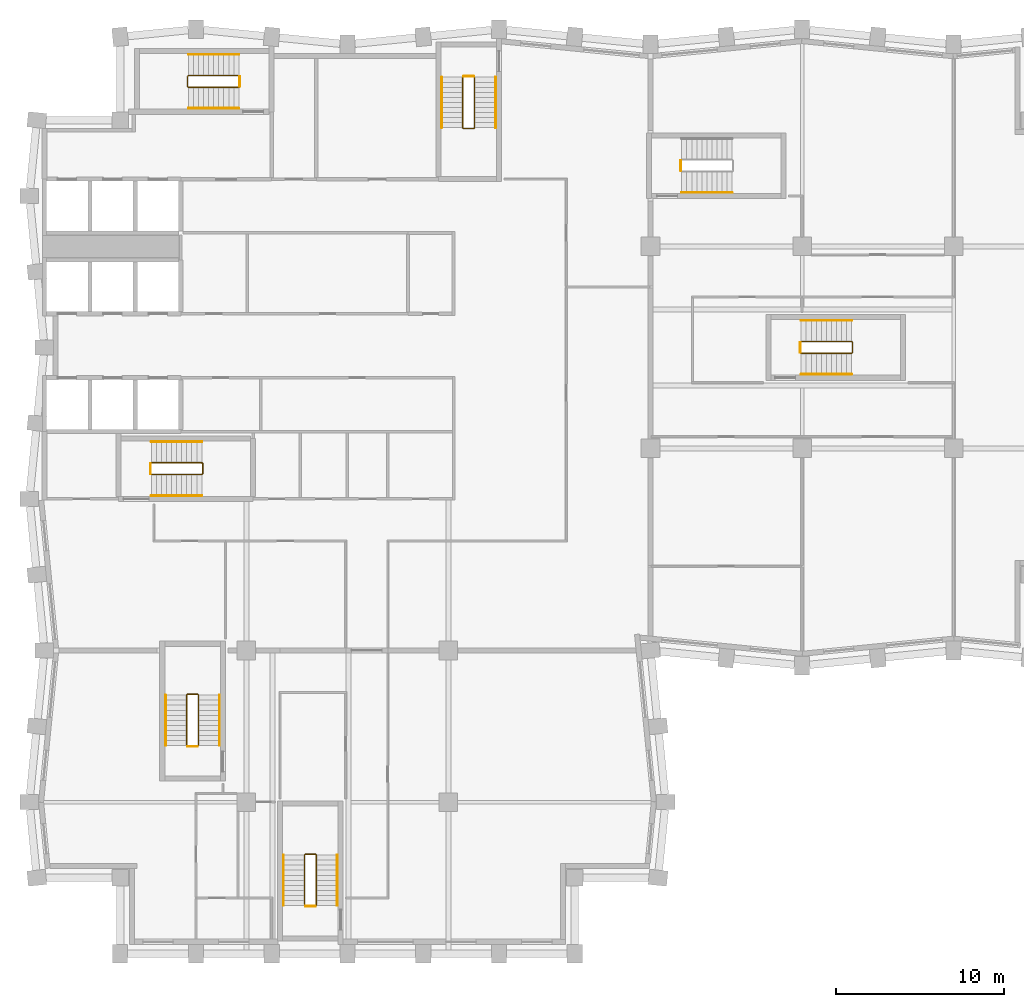
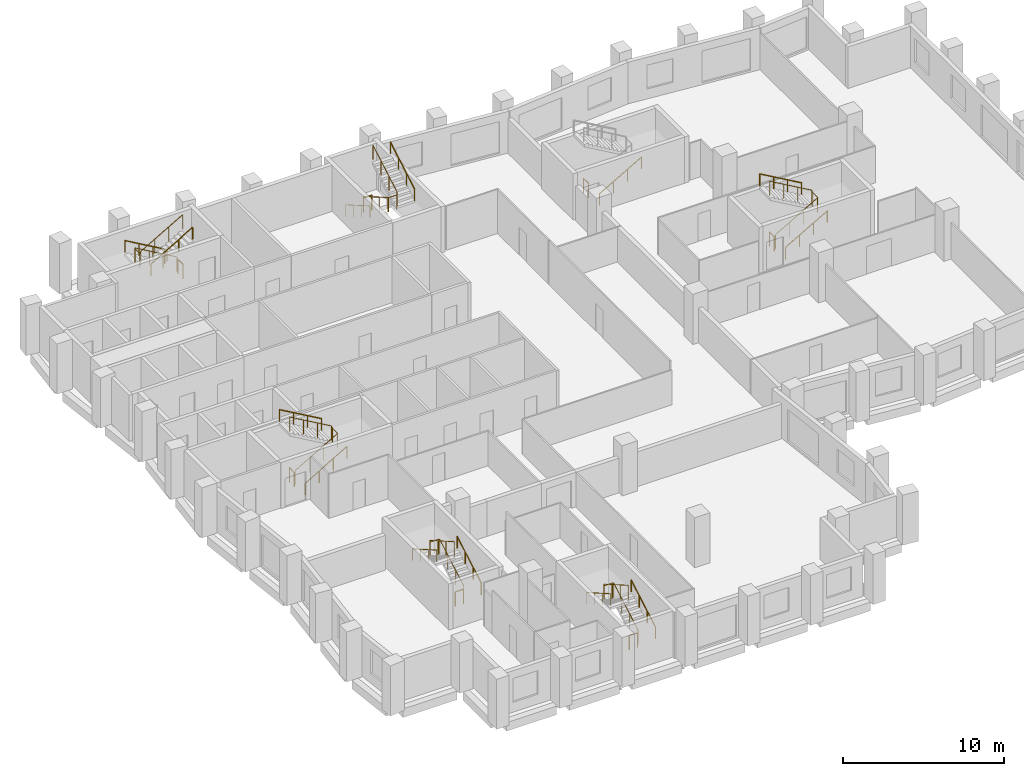
# One storey, part 9 of 10: 26 railings.
"""IFC4 building model written with IfcOpenShell, lengths in metres."""

from ifc_helpers import new_model, si_unit, direction, frame, origin, origin_2d, place, context, subcontext, project, spatial, circle, extrude, material, type_object, element, save


model = new_model("IFC4")

# Units and contexts
model_context = context("Model", 3, precision=1e-05, world=origin(), true_north=direction((0.0, 1.0)))
body_context = subcontext(model_context, "Body", "Model", "MODEL_VIEW")
ifc_project = project(units=[si_unit("LENGTHUNIT", "METRE"), si_unit("AREAUNIT", "SQUARE_METRE"), si_unit("VOLUMEUNIT", "CUBIC_METRE"), si_unit("PLANEANGLEUNIT", "RADIAN"), si_unit("MASSUNIT", "GRAM", prefix="KILO")], contexts=[model_context])

# Site, building, storey
site_placement = place(None, origin())
site = spatial("IfcSite", under=ifc_project, at=site_placement, CompositionType="ELEMENT")
building_placement = place(site_placement, origin())
building = spatial("IfcBuilding", under=site, at=building_placement, Name="Brondeck Convention Tower", CompositionType="ELEMENT")
storey_placement = place(building_placement, frame((0.0, 0.0, 185.199951171875)))
storey = spatial("IfcBuildingStorey", under=building, at=storey_placement, Name="L45", CompositionType="ELEMENT", Elevation=185.199951171875)

# Railings
ifc_material = material(Name="Steel S355", Category="steel")
railing_type_1 = type_object("IfcRailingType", Name="Stair guard 1100", PredefinedType="GUARDRAIL", material=ifc_material)
railing_1_placement = place(storey_placement, frame((6.35009765625, 37.449951171875, 0.1728515625)))
element("IfcRailing", 1, at=railing_1_placement, inside=storey, type_object=railing_type_1, Name="L45 ST-1 stair guard 1", PredefinedType="GUARDRAIL", context=body_context, shape_type="SweptSolid", body=[
    extrude(circle(Radius=0.02392578125, at=origin_2d()), frame((0.0, 0.0, 1.076171875), z_axis=(0.866619684472, 0.0, 0.498969260062), x_axis=(0.0, 1.0, 0.0)), (0.0, 0.0, 1.0), 3.461669921875),
    extrude(circle(Radius=0.02392578125, at=origin_2d()), frame((3.0, 0.0, 2.80322265625), z_axis=(0.705375805398, 0.708833529934, 0.0), x_axis=(-0.708833529934, 0.705375805398, 0.0)), (0.0, 0.0, 1.0), 0.070556640625),
    extrude(circle(Radius=0.02392578125, at=origin_2d()), frame((3.0498046875, 0.050048828125, 2.80322265625), z_axis=(0.0, 1.0, 0.0), x_axis=(-1.0, 0.0, 0.0)), (0.0, 0.0, 1.0), 0.60009765625),
    extrude(circle(Radius=0.02392578125, at=origin_2d()), frame((3.0498046875, 0.650146484375, 2.80322265625), z_axis=(-0.26715648603, 0.26715648603, 0.925880566782), x_axis=(-0.707106781187, -0.707106781187, 0.0)), (0.0, 0.0, 1.0), 0.1865234375),
    extrude(circle(Radius=0.02392578125, at=origin_2d()), frame((3.0, 0.699951171875, 2.97607421875), z_axis=(-0.866619684472, 0.0, 0.498969260062), x_axis=(0.0, -1.0, 0.0)), (0.0, 0.0, 1.0), 3.461669921875),
    extrude(circle(Radius=0.02099609375, at=origin_2d()), origin(), (0.0, 0.0, 1.0), 1.052001953125),
    extrude(circle(Radius=0.02099609375, at=origin_2d()), frame((1.0, 0.0, 0.57568359375)), (0.0, 0.0, 1.0), 1.052001953125),
    extrude(circle(Radius=0.02099609375, at=origin_2d()), frame((2.0, 0.0, 1.151611328125)), (0.0, 0.0, 1.0), 1.052001953125),
    extrude(circle(Radius=0.02099609375, at=origin_2d()), frame((3.0, 0.0, 1.727294921875)), (0.0, 0.0, 1.0), 1.052001953125),
    extrude(circle(Radius=0.02099609375, at=origin_2d()), frame((3.0498046875, 0.050048828125, 1.727294921875)), (0.0, 0.0, 1.0), 1.052001953125),
    extrude(circle(Radius=0.02099609375, at=origin_2d()), frame((3.0498046875, 0.650146484375, 1.727294921875)), (0.0, 0.0, 1.0), 1.052001953125),
    extrude(circle(Radius=0.02099609375, at=origin_2d()), frame((3.0, 0.699951171875, 1.89990234375)), (0.0, 0.0, 1.0), 1.052001953125),
    extrude(circle(Radius=0.02099609375, at=origin_2d()), frame((2.0, 0.699951171875, 2.4755859375)), (0.0, 0.0, 1.0), 1.052001953125),
    extrude(circle(Radius=0.02099609375, at=origin_2d()), frame((1.0, 0.699951171875, 3.051513671875)), (0.0, 0.0, 1.0), 1.052001953125),
    extrude(circle(Radius=0.02099609375, at=origin_2d()), frame((0.0, 0.699951171875, 3.627197265625)), (0.0, 0.0, 1.0), 1.052001953125),
])
railing_2_placement = place(storey_placement, frame((6.300048828125, 37.5, 0.0)))
element("IfcRailing", 2, at=railing_2_placement, inside=storey, type_object=railing_type_1, Name="L45 ST-1 stair guard 2", PredefinedType="GUARDRAIL", context=body_context, shape_type="SweptSolid", body=[
    extrude(circle(Radius=0.02392578125, at=origin_2d()), frame((0.0, 0.0, 1.076171875), z_axis=(0.0, 1.0, 0.0), x_axis=(-1.0, 0.0, 0.0)), (0.0, 0.0, 1.0), 0.60009765625),
    extrude(circle(Radius=0.02099609375, at=origin_2d()), origin(), (0.0, 0.0, 1.0), 1.052001953125),
    extrude(circle(Radius=0.02099609375, at=origin_2d()), frame((0.0, 0.60009765625, 0.0)), (0.0, 0.0, 1.0), 1.052001953125),
])
railing_3_placement = place(storey_placement, frame((24.85009765625, 61.050048828125, 0.1728515625)))
element("IfcRailing", 3, at=railing_3_placement, inside=storey, type_object=railing_type_1, Name="L45 ST-2 stair guard 1", PredefinedType="GUARDRAIL", context=body_context, shape_type="SweptSolid", body=[
    extrude(circle(Radius=0.02392578125, at=origin_2d()), frame((0.0, 0.0, 1.076171875), z_axis=(0.0, -0.866619684472, 0.498969260062), x_axis=(1.0, 0.0, 0.0)), (0.0, 0.0, 1.0), 3.461669921875),
    extrude(circle(Radius=0.02392578125, at=origin_2d()), frame((0.0, -3.0, 2.80322265625), z_axis=(0.705375805398, -0.708833529934, 0.0), x_axis=(0.708833529934, 0.705375805398, 0.0)), (0.0, 0.0, 1.0), 0.070556640625),
    extrude(circle(Radius=0.02392578125, at=origin_2d()), frame((0.0498046875, -3.050048828125, 2.80322265625), z_axis=(1.0, 0.0, 0.0), x_axis=(0.0, 1.0, 0.0)), (0.0, 0.0, 1.0), 0.60009765625),
    extrude(circle(Radius=0.02392578125, at=origin_2d()), frame((0.64990234375, -3.050048828125, 2.80322265625), z_axis=(0.268277960024, 0.268277960024, 0.925231793839), x_axis=(-0.707106781187, 0.707106781187, 0.0)), (0.0, 0.0, 1.0), 0.1865234375),
    extrude(circle(Radius=0.02392578125, at=origin_2d()), frame((0.699951171875, -3.0, 2.97607421875), z_axis=(0.0, 0.866619684472, 0.498969260062), x_axis=(-1.0, 0.0, 0.0)), (0.0, 0.0, 1.0), 3.461669921875),
    extrude(circle(Radius=0.02099609375, at=origin_2d()), origin(), (0.0, 0.0, 1.0), 1.052001953125),
    extrude(circle(Radius=0.02099609375, at=origin_2d()), frame((0.0, -1.0, 0.57568359375)), (0.0, 0.0, 1.0), 1.052001953125),
    extrude(circle(Radius=0.02099609375, at=origin_2d()), frame((0.0, -2.0, 1.151611328125)), (0.0, 0.0, 1.0), 1.052001953125),
    extrude(circle(Radius=0.02099609375, at=origin_2d()), frame((0.0, -3.0, 1.727294921875)), (0.0, 0.0, 1.0), 1.052001953125),
    extrude(circle(Radius=0.02099609375, at=origin_2d()), frame((0.0498046875, -3.050048828125, 1.727294921875)), (0.0, 0.0, 1.0), 1.052001953125),
    extrude(circle(Radius=0.02099609375, at=origin_2d()), frame((0.64990234375, -3.050048828125, 1.727294921875)), (0.0, 0.0, 1.0), 1.052001953125),
    extrude(circle(Radius=0.02099609375, at=origin_2d()), frame((0.699951171875, -3.0, 1.89990234375)), (0.0, 0.0, 1.0), 1.052001953125),
    extrude(circle(Radius=0.02099609375, at=origin_2d()), frame((0.699951171875, -2.0, 2.4755859375)), (0.0, 0.0, 1.0), 1.052001953125),
    extrude(circle(Radius=0.02099609375, at=origin_2d()), frame((0.699951171875, -1.0, 3.051513671875)), (0.0, 0.0, 1.0), 1.052001953125),
    extrude(circle(Radius=0.02099609375, at=origin_2d()), frame((0.699951171875, 0.0, 3.627197265625)), (0.0, 0.0, 1.0), 1.052001953125),
])
railing_4_placement = place(storey_placement, frame((24.89990234375, 61.10009765625, 0.0)))
element("IfcRailing", 4, at=railing_4_placement, inside=storey, type_object=railing_type_1, Name="L45 ST-2 stair guard 2", PredefinedType="GUARDRAIL", context=body_context, shape_type="SweptSolid", body=[
    extrude(circle(Radius=0.02392578125, at=origin_2d()), frame((0.0, 0.0, 1.076171875), z_axis=(1.0, 0.0, 0.0), x_axis=(0.0, 1.0, 0.0)), (0.0, 0.0, 1.0), 0.60009765625),
    extrude(circle(Radius=0.02099609375, at=origin_2d()), origin(), (0.0, 0.0, 1.0), 1.052001953125),
    extrude(circle(Radius=0.02099609375, at=origin_2d()), frame((0.60009765625, 0.0, 0.0)), (0.0, 0.0, 1.0), 1.052001953125),
])
railing_5_placement = place(storey_placement, frame((11.550048828125, 61.14990234375, 0.1728515625)))
element("IfcRailing", 5, at=railing_5_placement, inside=storey, type_object=railing_type_1, Name="L45 ST-3 stair guard 1", PredefinedType="GUARDRAIL", context=body_context, shape_type="SweptSolid", body=[
    extrude(circle(Radius=0.02392578125, at=origin_2d()), frame((0.0, 0.0, 1.076171875), z_axis=(-0.866619684472, 0.0, 0.498969260062), x_axis=(0.0, -1.0, 0.0)), (0.0, 0.0, 1.0), 3.461669921875),
    extrude(circle(Radius=0.02392578125, at=origin_2d()), frame((-3.0, 0.0, 2.80322265625), z_axis=(-0.708833529934, -0.705375805398, 0.0), x_axis=(0.705375805398, -0.708833529934, 0.0)), (0.0, 0.0, 1.0), 0.070556640625),
    extrude(circle(Radius=0.02392578125, at=origin_2d()), frame((-3.050048828125, -0.0498046875, 2.80322265625), z_axis=(0.0, -1.0, 0.0), x_axis=(1.0, 0.0, 0.0)), (0.0, 0.0, 1.0), 0.60009765625),
    extrude(circle(Radius=0.02392578125, at=origin_2d()), frame((-3.050048828125, -0.64990234375, 2.80322265625), z_axis=(0.268277960024, -0.268277960024, 0.925231793839), x_axis=(0.707106781187, 0.707106781187, 0.0)), (0.0, 0.0, 1.0), 0.1865234375),
    extrude(circle(Radius=0.02392578125, at=origin_2d()), frame((-3.0, -0.699951171875, 2.97607421875), z_axis=(0.866619684472, 0.0, 0.498969260062), x_axis=(0.0, 1.0, 0.0)), (0.0, 0.0, 1.0), 3.461669921875),
    extrude(circle(Radius=0.02099609375, at=origin_2d()), origin(), (0.0, 0.0, 1.0), 1.052001953125),
    extrude(circle(Radius=0.02099609375, at=origin_2d()), frame((-1.0, 0.0, 0.57568359375)), (0.0, 0.0, 1.0), 1.052001953125),
    extrude(circle(Radius=0.02099609375, at=origin_2d()), frame((-2.0, 0.0, 1.151611328125)), (0.0, 0.0, 1.0), 1.052001953125),
    extrude(circle(Radius=0.02099609375, at=origin_2d()), frame((-3.0, 0.0, 1.727294921875)), (0.0, 0.0, 1.0), 1.052001953125),
    extrude(circle(Radius=0.02099609375, at=origin_2d()), frame((-3.050048828125, -0.0498046875, 1.727294921875)), (0.0, 0.0, 1.0), 1.052001953125),
    extrude(circle(Radius=0.02099609375, at=origin_2d()), frame((-3.050048828125, -0.64990234375, 1.727294921875)), (0.0, 0.0, 1.0), 1.052001953125),
    extrude(circle(Radius=0.02099609375, at=origin_2d()), frame((-3.0, -0.699951171875, 1.89990234375)), (0.0, 0.0, 1.0), 1.052001953125),
    extrude(circle(Radius=0.02099609375, at=origin_2d()), frame((-2.0, -0.699951171875, 2.4755859375)), (0.0, 0.0, 1.0), 1.052001953125),
    extrude(circle(Radius=0.02099609375, at=origin_2d()), frame((-1.0, -0.699951171875, 3.051513671875)), (0.0, 0.0, 1.0), 1.052001953125),
    extrude(circle(Radius=0.02099609375, at=origin_2d()), frame((0.0, -0.699951171875, 3.627197265625)), (0.0, 0.0, 1.0), 1.052001953125),
])
railing_6_placement = place(storey_placement, frame((11.60009765625, 61.10009765625, 0.0)))
element("IfcRailing", 6, at=railing_6_placement, inside=storey, type_object=railing_type_1, Name="L45 ST-3 stair guard 2", PredefinedType="GUARDRAIL", context=body_context, shape_type="SweptSolid", body=[
    extrude(circle(Radius=0.02392578125, at=origin_2d()), frame((0.0, 0.0, 1.076171875), z_axis=(0.0, -1.0, 0.0), x_axis=(1.0, 0.0, 0.0)), (0.0, 0.0, 1.0), 0.60009765625),
    extrude(circle(Radius=0.02099609375, at=origin_2d()), origin(), (0.0, 0.0, 1.0), 1.052001953125),
    extrude(circle(Radius=0.02099609375, at=origin_2d()), frame((0.0, -0.60009765625, 0.0)), (0.0, 0.0, 1.0), 1.052001953125),
])
railing_7_placement = place(storey_placement, frame((37.800048828125, 55.5, 0.0)))
element("IfcRailing", 7, at=railing_7_placement, inside=storey, type_object=railing_type_1, Name="L45 ST-AE stair guard 2", PredefinedType="GUARDRAIL", context=body_context, shape_type="SweptSolid", body=[
    extrude(circle(Radius=0.02392578125, at=origin_2d()), frame((0.0, 0.0, 1.076171875), z_axis=(0.0, 1.0, 0.0), x_axis=(-1.0, 0.0, 0.0)), (0.0, 0.0, 1.0), 0.60009765625),
    extrude(circle(Radius=0.02099609375, at=origin_2d()), origin(), (0.0, 0.0, 1.0), 1.052001953125),
    extrude(circle(Radius=0.02099609375, at=origin_2d()), frame((0.0, 0.60009765625, 0.0)), (0.0, 0.0, 1.0), 1.052001953125),
])
railing_8_placement = place(storey_placement, frame((9.14990234375, 21.35009765625, 0.1728515625)))
element("IfcRailing", 8, at=railing_8_placement, inside=storey, type_object=railing_type_1, Name="L45 ST-BE stair guard 1", PredefinedType="GUARDRAIL", context=body_context, shape_type="SweptSolid", body=[
    extrude(circle(Radius=0.02392578125, at=origin_2d()), frame((0.0, 0.0, 1.076171875), z_axis=(0.0, 0.866619684472, 0.498969260062), x_axis=(-1.0, 0.0, 0.0)), (0.0, 0.0, 1.0), 3.461669921875),
    extrude(circle(Radius=0.02392578125, at=origin_2d()), frame((0.0, 3.0, 2.80322265625), z_axis=(-0.707106781187, 0.707106781187, 0.0), x_axis=(-0.707106781187, -0.707106781187, 0.0)), (0.0, 0.0, 1.0), 0.0703125),
    extrude(circle(Radius=0.02392578125, at=origin_2d()), frame((-0.0498046875, 3.0498046875, 2.80322265625), z_axis=(-1.0, 0.0, 0.0), x_axis=(0.0, -1.0, 0.0)), (0.0, 0.0, 1.0), 0.60009765625),
    extrude(circle(Radius=0.02392578125, at=origin_2d()), frame((-0.64990234375, 3.0498046875, 2.80322265625), z_axis=(-0.268371968888, -0.267062837333, 0.925556009775), x_axis=(0.705375805398, -0.708833529934, 0.0)), (0.0, 0.0, 1.0), 0.1865234375),
    extrude(circle(Radius=0.02392578125, at=origin_2d()), frame((-0.699951171875, 3.0, 2.97607421875), z_axis=(0.0, -0.866619684472, 0.498969260062), x_axis=(1.0, 0.0, 0.0)), (0.0, 0.0, 1.0), 3.461669921875),
    extrude(circle(Radius=0.02099609375, at=origin_2d()), origin(), (0.0, 0.0, 1.0), 1.052001953125),
    extrude(circle(Radius=0.02099609375, at=origin_2d()), frame((0.0, 1.0, 0.57568359375)), (0.0, 0.0, 1.0), 1.052001953125),
    extrude(circle(Radius=0.02099609375, at=origin_2d()), frame((0.0, 2.0, 1.151611328125)), (0.0, 0.0, 1.0), 1.052001953125),
    extrude(circle(Radius=0.02099609375, at=origin_2d()), frame((0.0, 3.0, 1.727294921875)), (0.0, 0.0, 1.0), 1.052001953125),
    extrude(circle(Radius=0.02099609375, at=origin_2d()), frame((-0.0498046875, 3.0498046875, 1.727294921875)), (0.0, 0.0, 1.0), 1.052001953125),
    extrude(circle(Radius=0.02099609375, at=origin_2d()), frame((-0.64990234375, 3.0498046875, 1.727294921875)), (0.0, 0.0, 1.0), 1.052001953125),
    extrude(circle(Radius=0.02099609375, at=origin_2d()), frame((-0.699951171875, 3.0, 1.89990234375)), (0.0, 0.0, 1.0), 1.052001953125),
    extrude(circle(Radius=0.02099609375, at=origin_2d()), frame((-0.699951171875, 2.0, 2.4755859375)), (0.0, 0.0, 1.0), 1.052001953125),
    extrude(circle(Radius=0.02099609375, at=origin_2d()), frame((-0.699951171875, 1.0, 3.051513671875)), (0.0, 0.0, 1.0), 1.052001953125),
    extrude(circle(Radius=0.02099609375, at=origin_2d()), frame((-0.699951171875, 0.0, 3.627197265625)), (0.0, 0.0, 1.0), 1.052001953125),
])
railing_9_placement = place(storey_placement, frame((9.10009765625, 21.300048828125, 0.0)))
element("IfcRailing", 9, at=railing_9_placement, inside=storey, type_object=railing_type_1, Name="L45 ST-BE stair guard 2", PredefinedType="GUARDRAIL", context=body_context, shape_type="SweptSolid", body=[
    extrude(circle(Radius=0.02392578125, at=origin_2d()), frame((0.0, 0.0, 1.076171875), z_axis=(-1.0, 0.0, 0.0), x_axis=(0.0, -1.0, 0.0)), (0.0, 0.0, 1.0), 0.60009765625),
    extrude(circle(Radius=0.02099609375, at=origin_2d()), origin(), (0.0, 0.0, 1.0), 1.052001953125),
    extrude(circle(Radius=0.02099609375, at=origin_2d()), frame((-0.60009765625, 0.0, 0.0)), (0.0, 0.0, 1.0), 1.052001953125),
])
railing_10_placement = place(storey_placement, frame((44.949951171875, 44.64990234375, 0.1728515625)))
element("IfcRailing", 10, at=railing_10_placement, inside=storey, type_object=railing_type_1, Name="L45 ST-AF stair guard 1", PredefinedType="GUARDRAIL", context=body_context, shape_type="SweptSolid", body=[
    extrude(circle(Radius=0.02392578125, at=origin_2d()), frame((0.0, 0.0, 1.076171875), z_axis=(0.866619684472, 0.0, 0.498969260062), x_axis=(0.0, 1.0, 0.0)), (0.0, 0.0, 1.0), 3.461669921875),
    extrude(circle(Radius=0.02392578125, at=origin_2d()), frame((3.0, 0.0, 2.80322265625), z_axis=(0.707106781187, 0.707106781187, 0.0), x_axis=(-0.707106781187, 0.707106781187, 0.0)), (0.0, 0.0, 1.0), 0.07080078125),
    extrude(circle(Radius=0.02392578125, at=origin_2d()), frame((3.050048828125, 0.050048828125, 2.80322265625), z_axis=(0.0, 1.0, 0.0), x_axis=(-1.0, 0.0, 0.0)), (0.0, 0.0, 1.0), 0.60009765625),
    extrude(circle(Radius=0.02392578125, at=origin_2d()), frame((3.050048828125, 0.650146484375, 2.80322265625), z_axis=(-0.268277960024, 0.268277960024, 0.925231793839), x_axis=(-0.707106781187, -0.707106781187, 0.0)), (0.0, 0.0, 1.0), 0.1865234375),
    extrude(circle(Radius=0.02392578125, at=origin_2d()), frame((3.0, 0.7001953125, 2.97607421875), z_axis=(-0.866619684472, 0.0, 0.498969260062), x_axis=(0.0, -1.0, 0.0)), (0.0, 0.0, 1.0), 3.461669921875),
    extrude(circle(Radius=0.02099609375, at=origin_2d()), origin(), (0.0, 0.0, 1.0), 1.052001953125),
    extrude(circle(Radius=0.02099609375, at=origin_2d()), frame((1.0, 0.0, 0.57568359375)), (0.0, 0.0, 1.0), 1.052001953125),
    extrude(circle(Radius=0.02099609375, at=origin_2d()), frame((2.0, 0.0, 1.151611328125)), (0.0, 0.0, 1.0), 1.052001953125),
    extrude(circle(Radius=0.02099609375, at=origin_2d()), frame((3.0, 0.0, 1.727294921875)), (0.0, 0.0, 1.0), 1.052001953125),
    extrude(circle(Radius=0.02099609375, at=origin_2d()), frame((3.050048828125, 0.050048828125, 1.727294921875)), (0.0, 0.0, 1.0), 1.052001953125),
    extrude(circle(Radius=0.02099609375, at=origin_2d()), frame((3.050048828125, 0.650146484375, 1.727294921875)), (0.0, 0.0, 1.0), 1.052001953125),
    extrude(circle(Radius=0.02099609375, at=origin_2d()), frame((3.0, 0.7001953125, 1.89990234375)), (0.0, 0.0, 1.0), 1.052001953125),
    extrude(circle(Radius=0.02099609375, at=origin_2d()), frame((2.0, 0.7001953125, 2.4755859375)), (0.0, 0.0, 1.0), 1.052001953125),
    extrude(circle(Radius=0.02099609375, at=origin_2d()), frame((1.0, 0.7001953125, 3.051513671875)), (0.0, 0.0, 1.0), 1.052001953125),
    extrude(circle(Radius=0.02099609375, at=origin_2d()), frame((0.0, 0.7001953125, 3.627197265625)), (0.0, 0.0, 1.0), 1.052001953125),
])
railing_11_placement = place(storey_placement, frame((44.89990234375, 44.699951171875, 0.0)))
element("IfcRailing", 11, at=railing_11_placement, inside=storey, type_object=railing_type_1, Name="L45 ST-AF stair guard 2", PredefinedType="GUARDRAIL", context=body_context, shape_type="SweptSolid", body=[
    extrude(circle(Radius=0.02392578125, at=origin_2d()), frame((0.0, 0.0, 1.076171875), z_axis=(0.0, 1.0, 0.0), x_axis=(-1.0, 0.0, 0.0)), (0.0, 0.0, 1.0), 0.60009765625),
    extrude(circle(Radius=0.02099609375, at=origin_2d()), origin(), (0.0, 0.0, 1.0), 1.052001953125),
    extrude(circle(Radius=0.02099609375, at=origin_2d()), frame((0.0, 0.60009765625, 0.0)), (0.0, 0.0, 1.0), 1.052001953125),
])
railing_12_placement = place(storey_placement, frame((16.14990234375, 11.85009765625, 0.1728515625)))
element("IfcRailing", 12, at=railing_12_placement, inside=storey, type_object=railing_type_1, Name="L45 ST-BF stair guard 1", PredefinedType="GUARDRAIL", context=body_context, shape_type="SweptSolid", body=[
    extrude(circle(Radius=0.02392578125, at=origin_2d()), frame((0.0, 0.0, 1.076171875), z_axis=(0.0, 0.866619684472, 0.498969260062), x_axis=(-1.0, 0.0, 0.0)), (0.0, 0.0, 1.0), 3.461669921875),
    extrude(circle(Radius=0.02392578125, at=origin_2d()), frame((0.0, 3.0, 2.80322265625), z_axis=(-0.707106781187, 0.707106781187, 0.0), x_axis=(-0.707106781187, -0.707106781187, 0.0)), (0.0, 0.0, 1.0), 0.0703125),
    extrude(circle(Radius=0.02392578125, at=origin_2d()), frame((-0.0498046875, 3.0498046875, 2.80322265625), z_axis=(-1.0, 0.0, 0.0), x_axis=(0.0, -1.0, 0.0)), (0.0, 0.0, 1.0), 0.60009765625),
    extrude(circle(Radius=0.02392578125, at=origin_2d()), frame((-0.64990234375, 3.0498046875, 2.80322265625), z_axis=(-0.268371968888, -0.267062837333, 0.925556009775), x_axis=(0.705375805398, -0.708833529934, 0.0)), (0.0, 0.0, 1.0), 0.1865234375),
    extrude(circle(Radius=0.02392578125, at=origin_2d()), frame((-0.699951171875, 3.0, 2.97607421875), z_axis=(0.0, -0.866619684472, 0.498969260062), x_axis=(1.0, 0.0, 0.0)), (0.0, 0.0, 1.0), 3.461669921875),
    extrude(circle(Radius=0.02099609375, at=origin_2d()), origin(), (0.0, 0.0, 1.0), 1.052001953125),
    extrude(circle(Radius=0.02099609375, at=origin_2d()), frame((0.0, 1.0, 0.57568359375)), (0.0, 0.0, 1.0), 1.052001953125),
    extrude(circle(Radius=0.02099609375, at=origin_2d()), frame((0.0, 2.0, 1.151611328125)), (0.0, 0.0, 1.0), 1.052001953125),
    extrude(circle(Radius=0.02099609375, at=origin_2d()), frame((0.0, 3.0, 1.727294921875)), (0.0, 0.0, 1.0), 1.052001953125),
    extrude(circle(Radius=0.02099609375, at=origin_2d()), frame((-0.0498046875, 3.0498046875, 1.727294921875)), (0.0, 0.0, 1.0), 1.052001953125),
    extrude(circle(Radius=0.02099609375, at=origin_2d()), frame((-0.64990234375, 3.0498046875, 1.727294921875)), (0.0, 0.0, 1.0), 1.052001953125),
    extrude(circle(Radius=0.02099609375, at=origin_2d()), frame((-0.699951171875, 3.0, 1.89990234375)), (0.0, 0.0, 1.0), 1.052001953125),
    extrude(circle(Radius=0.02099609375, at=origin_2d()), frame((-0.699951171875, 2.0, 2.4755859375)), (0.0, 0.0, 1.0), 1.052001953125),
    extrude(circle(Radius=0.02099609375, at=origin_2d()), frame((-0.699951171875, 1.0, 3.051513671875)), (0.0, 0.0, 1.0), 1.052001953125),
    extrude(circle(Radius=0.02099609375, at=origin_2d()), frame((-0.699951171875, 0.0, 3.627197265625)), (0.0, 0.0, 1.0), 1.052001953125),
])
railing_13_placement = place(storey_placement, frame((16.10009765625, 11.800048828125, 0.0)))
element("IfcRailing", 13, at=railing_13_placement, inside=storey, type_object=railing_type_1, Name="L45 ST-BF stair guard 2", PredefinedType="GUARDRAIL", context=body_context, shape_type="SweptSolid", body=[
    extrude(circle(Radius=0.02392578125, at=origin_2d()), frame((0.0, 0.0, 1.076171875), z_axis=(-1.0, 0.0, 0.0), x_axis=(0.0, -1.0, 0.0)), (0.0, 0.0, 1.0), 0.60009765625),
    extrude(circle(Radius=0.02099609375, at=origin_2d()), origin(), (0.0, 0.0, 1.0), 1.052001953125),
    extrude(circle(Radius=0.02099609375, at=origin_2d()), frame((-0.60009765625, 0.0, 0.0)), (0.0, 0.0, 1.0), 1.052001953125),
])
railing_type_2 = type_object("IfcRailingType", Name="Stair handrail", PredefinedType="HANDRAIL", material=ifc_material)
railing_14_placement = place(storey_placement, frame((6.35009765625, 36.199951171875, 0.1728515625)))
element("IfcRailing", 14, at=railing_14_placement, inside=storey, type_object=railing_type_2, Name="L45 ST-1 stair handrail 1", PredefinedType="HANDRAIL", context=body_context, shape_type="SweptSolid", body=[
    extrude(circle(Radius=0.02392578125, at=origin_2d()), frame((0.0, 0.0, 0.8759765625), z_axis=(0.866619684472, 0.0, 0.498969260062), x_axis=(0.0, 1.0, 0.0)), (0.0, 0.0, 1.0), 3.461669921875),
    extrude(circle(Radius=0.02099609375, at=origin_2d()), origin(), (0.0, 0.0, 1.0), 0.851806640625),
    extrude(circle(Radius=0.02099609375, at=origin_2d()), frame((1.0, 0.0, 0.57568359375)), (0.0, 0.0, 1.0), 0.851806640625),
    extrude(circle(Radius=0.02099609375, at=origin_2d()), frame((2.0, 0.0, 1.151611328125)), (0.0, 0.0, 1.0), 0.851806640625),
    extrude(circle(Radius=0.02099609375, at=origin_2d()), frame((3.0, 0.0, 1.727294921875)), (0.0, 0.0, 1.0), 0.851806640625),
])
railing_15_placement = place(storey_placement, frame((9.35009765625, 39.39990234375, 2.07275390625)))
element("IfcRailing", 15, at=railing_15_placement, inside=storey, type_object=railing_type_2, Name="L45 ST-1 stair handrail 2", PredefinedType="HANDRAIL", context=body_context, shape_type="SweptSolid", body=[
    extrude(circle(Radius=0.02392578125, at=origin_2d()), frame((0.0, 0.0, 0.8759765625), z_axis=(-0.866619684472, 0.0, 0.498969260062), x_axis=(0.0, -1.0, 0.0)), (0.0, 0.0, 1.0), 3.461669921875),
    extrude(circle(Radius=0.02099609375, at=origin_2d()), origin(), (0.0, 0.0, 1.0), 0.851806640625),
    extrude(circle(Radius=0.02099609375, at=origin_2d()), frame((-1.0, 0.0, 0.57568359375)), (0.0, 0.0, 1.0), 0.851806640625),
    extrude(circle(Radius=0.02099609375, at=origin_2d()), frame((-2.0, 0.0, 1.151611328125)), (0.0, 0.0, 1.0), 0.851806640625),
    extrude(circle(Radius=0.02099609375, at=origin_2d()), frame((-3.0, 0.0, 1.727294921875)), (0.0, 0.0, 1.0), 0.851806640625),
])
railing_16_placement = place(storey_placement, frame((23.60009765625, 61.050048828125, 0.1728515625)))
element("IfcRailing", 16, at=railing_16_placement, inside=storey, type_object=railing_type_2, Name="L45 ST-2 stair handrail 1", PredefinedType="HANDRAIL", context=body_context, shape_type="SweptSolid", body=[
    extrude(circle(Radius=0.02392578125, at=origin_2d()), frame((0.0, 0.0, 0.8759765625), z_axis=(0.0, -0.866619684472, 0.498969260062), x_axis=(1.0, 0.0, 0.0)), (0.0, 0.0, 1.0), 3.461669921875),
    extrude(circle(Radius=0.02099609375, at=origin_2d()), origin(), (0.0, 0.0, 1.0), 0.851806640625),
    extrude(circle(Radius=0.02099609375, at=origin_2d()), frame((0.0, -1.0, 0.57568359375)), (0.0, 0.0, 1.0), 0.851806640625),
    extrude(circle(Radius=0.02099609375, at=origin_2d()), frame((0.0, -2.0, 1.151611328125)), (0.0, 0.0, 1.0), 0.851806640625),
    extrude(circle(Radius=0.02099609375, at=origin_2d()), frame((0.0, -3.0, 1.727294921875)), (0.0, 0.0, 1.0), 0.851806640625),
])
railing_17_placement = place(storey_placement, frame((26.800048828125, 58.050048828125, 2.07275390625)))
element("IfcRailing", 17, at=railing_17_placement, inside=storey, type_object=railing_type_2, Name="L45 ST-2 stair handrail 2", PredefinedType="HANDRAIL", context=body_context, shape_type="SweptSolid", body=[
    extrude(circle(Radius=0.02392578125, at=origin_2d()), frame((0.0, 0.0, 0.8759765625), z_axis=(0.0, 0.866619684472, 0.498969260062), x_axis=(-1.0, 0.0, 0.0)), (0.0, 0.0, 1.0), 3.461669921875),
    extrude(circle(Radius=0.02099609375, at=origin_2d()), origin(), (0.0, 0.0, 1.0), 0.851806640625),
    extrude(circle(Radius=0.02099609375, at=origin_2d()), frame((0.0, 1.0, 0.57568359375)), (0.0, 0.0, 1.0), 0.851806640625),
    extrude(circle(Radius=0.02099609375, at=origin_2d()), frame((0.0, 2.0, 1.151611328125)), (0.0, 0.0, 1.0), 0.851806640625),
    extrude(circle(Radius=0.02099609375, at=origin_2d()), frame((0.0, 3.0, 1.727294921875)), (0.0, 0.0, 1.0), 0.851806640625),
])
railing_18_placement = place(storey_placement, frame((11.550048828125, 62.39990234375, 0.1728515625)))
element("IfcRailing", 18, at=railing_18_placement, inside=storey, type_object=railing_type_2, Name="L45 ST-3 stair handrail 1", PredefinedType="HANDRAIL", context=body_context, shape_type="SweptSolid", body=[
    extrude(circle(Radius=0.02392578125, at=origin_2d()), frame((0.0, 0.0, 0.8759765625), z_axis=(-0.866619684472, 0.0, 0.498969260062), x_axis=(0.0, -1.0, 0.0)), (0.0, 0.0, 1.0), 3.461669921875),
    extrude(circle(Radius=0.02099609375, at=origin_2d()), origin(), (0.0, 0.0, 1.0), 0.851806640625),
    extrude(circle(Radius=0.02099609375, at=origin_2d()), frame((-1.0, 0.0, 0.57568359375)), (0.0, 0.0, 1.0), 0.851806640625),
    extrude(circle(Radius=0.02099609375, at=origin_2d()), frame((-2.0, 0.0, 1.151611328125)), (0.0, 0.0, 1.0), 0.851806640625),
    extrude(circle(Radius=0.02099609375, at=origin_2d()), frame((-3.0, 0.0, 1.727294921875)), (0.0, 0.0, 1.0), 0.851806640625),
])
for number, where, name in (
    (19, (8.550048828125, 59.199951171875, 2.07275390625), "L45 ST-3 stair handrail 2"),
    (20, (37.85009765625, 54.199951171875, 0.1728515625), "L45 ST-AE stair handrail 1"),
):
    element("IfcRailing", number, at=place(storey_placement, frame(where)), inside=storey, type_object=railing_type_2, Name=name, PredefinedType="HANDRAIL", context=body_context, shape_type="SweptSolid", body=[
        extrude(circle(Radius=0.02392578125, at=origin_2d()), frame((0.0, 0.0, 0.8759765625), z_axis=(0.866619684472, 0.0, 0.498969260062), x_axis=(0.0, 1.0, 0.0)), (0.0, 0.0, 1.0), 3.461669921875),
        extrude(circle(Radius=0.02099609375, at=origin_2d()), origin(), (0.0, 0.0, 1.0), 0.851806640625),
        extrude(circle(Radius=0.02099609375, at=origin_2d()), frame((1.0, 0.0, 0.57568359375)), (0.0, 0.0, 1.0), 0.851806640625),
        extrude(circle(Radius=0.02099609375, at=origin_2d()), frame((2.0, 0.0, 1.151611328125)), (0.0, 0.0, 1.0), 0.851806640625),
        extrude(circle(Radius=0.02099609375, at=origin_2d()), frame((3.0, 0.0, 1.727294921875)), (0.0, 0.0, 1.0), 0.851806640625),
    ])
railing_19_placement = place(storey_placement, frame((10.39990234375, 21.35009765625, 0.1728515625)))
element("IfcRailing", 21, at=railing_19_placement, inside=storey, type_object=railing_type_2, Name="L45 ST-BE stair handrail 1", PredefinedType="HANDRAIL", context=body_context, shape_type="SweptSolid", body=[
    extrude(circle(Radius=0.02392578125, at=origin_2d()), frame((0.0, 0.0, 0.8759765625), z_axis=(0.0, 0.866619684472, 0.498969260062), x_axis=(-1.0, 0.0, 0.0)), (0.0, 0.0, 1.0), 3.461669921875),
    extrude(circle(Radius=0.02099609375, at=origin_2d()), origin(), (0.0, 0.0, 1.0), 0.851806640625),
    extrude(circle(Radius=0.02099609375, at=origin_2d()), frame((0.0, 1.0, 0.57568359375)), (0.0, 0.0, 1.0), 0.851806640625),
    extrude(circle(Radius=0.02099609375, at=origin_2d()), frame((0.0, 2.0, 1.151611328125)), (0.0, 0.0, 1.0), 0.851806640625),
    extrude(circle(Radius=0.02099609375, at=origin_2d()), frame((0.0, 3.0, 1.727294921875)), (0.0, 0.0, 1.0), 0.851806640625),
])
railing_20_placement = place(storey_placement, frame((7.199951171875, 24.35009765625, 2.07275390625)))
element("IfcRailing", 22, at=railing_20_placement, inside=storey, type_object=railing_type_2, Name="L45 ST-BE stair handrail 2", PredefinedType="HANDRAIL", context=body_context, shape_type="SweptSolid", body=[
    extrude(circle(Radius=0.02392578125, at=origin_2d()), frame((0.0, 0.0, 0.8759765625), z_axis=(0.0, -0.866619684472, 0.498969260062), x_axis=(1.0, 0.0, 0.0)), (0.0, 0.0, 1.0), 3.461669921875),
    extrude(circle(Radius=0.02099609375, at=origin_2d()), origin(), (0.0, 0.0, 1.0), 0.851806640625),
    extrude(circle(Radius=0.02099609375, at=origin_2d()), frame((0.0, -1.0, 0.57568359375)), (0.0, 0.0, 1.0), 0.851806640625),
    extrude(circle(Radius=0.02099609375, at=origin_2d()), frame((0.0, -2.0, 1.151611328125)), (0.0, 0.0, 1.0), 0.851806640625),
    extrude(circle(Radius=0.02099609375, at=origin_2d()), frame((0.0, -3.0, 1.727294921875)), (0.0, 0.0, 1.0), 0.851806640625),
])
railing_21_placement = place(storey_placement, frame((44.949951171875, 43.39990234375, 0.1728515625)))
element("IfcRailing", 23, at=railing_21_placement, inside=storey, type_object=railing_type_2, Name="L45 ST-AF stair handrail 1", PredefinedType="HANDRAIL", context=body_context, shape_type="SweptSolid", body=[
    extrude(circle(Radius=0.02392578125, at=origin_2d()), frame((0.0, 0.0, 0.8759765625), z_axis=(0.866619684472, 0.0, 0.498969260062), x_axis=(0.0, 1.0, 0.0)), (0.0, 0.0, 1.0), 3.461669921875),
    extrude(circle(Radius=0.02099609375, at=origin_2d()), origin(), (0.0, 0.0, 1.0), 0.851806640625),
    extrude(circle(Radius=0.02099609375, at=origin_2d()), frame((1.0, 0.0, 0.57568359375)), (0.0, 0.0, 1.0), 0.851806640625),
    extrude(circle(Radius=0.02099609375, at=origin_2d()), frame((2.0, 0.0, 1.151611328125)), (0.0, 0.0, 1.0), 0.851806640625),
    extrude(circle(Radius=0.02099609375, at=origin_2d()), frame((3.0, 0.0, 1.727294921875)), (0.0, 0.0, 1.0), 0.851806640625),
])
railing_22_placement = place(storey_placement, frame((47.949951171875, 46.60009765625, 2.07275390625)))
element("IfcRailing", 24, at=railing_22_placement, inside=storey, type_object=railing_type_2, Name="L45 ST-AF stair handrail 2", PredefinedType="HANDRAIL", context=body_context, shape_type="SweptSolid", body=[
    extrude(circle(Radius=0.02392578125, at=origin_2d()), frame((0.0, 0.0, 0.8759765625), z_axis=(-0.866619684472, 0.0, 0.498969260062), x_axis=(0.0, -1.0, 0.0)), (0.0, 0.0, 1.0), 3.461669921875),
    extrude(circle(Radius=0.02099609375, at=origin_2d()), origin(), (0.0, 0.0, 1.0), 0.851806640625),
    extrude(circle(Radius=0.02099609375, at=origin_2d()), frame((-1.0, 0.0, 0.57568359375)), (0.0, 0.0, 1.0), 0.851806640625),
    extrude(circle(Radius=0.02099609375, at=origin_2d()), frame((-2.0, 0.0, 1.151611328125)), (0.0, 0.0, 1.0), 0.851806640625),
    extrude(circle(Radius=0.02099609375, at=origin_2d()), frame((-3.0, 0.0, 1.727294921875)), (0.0, 0.0, 1.0), 0.851806640625),
])
railing_23_placement = place(storey_placement, frame((17.39990234375, 11.85009765625, 0.1728515625)))
element("IfcRailing", 25, at=railing_23_placement, inside=storey, type_object=railing_type_2, Name="L45 ST-BF stair handrail 1", PredefinedType="HANDRAIL", context=body_context, shape_type="SweptSolid", body=[
    extrude(circle(Radius=0.02392578125, at=origin_2d()), frame((0.0, 0.0, 0.8759765625), z_axis=(0.0, 0.866619684472, 0.498969260062), x_axis=(-1.0, 0.0, 0.0)), (0.0, 0.0, 1.0), 3.461669921875),
    extrude(circle(Radius=0.02099609375, at=origin_2d()), origin(), (0.0, 0.0, 1.0), 0.851806640625),
    extrude(circle(Radius=0.02099609375, at=origin_2d()), frame((0.0, 1.0, 0.57568359375)), (0.0, 0.0, 1.0), 0.851806640625),
    extrude(circle(Radius=0.02099609375, at=origin_2d()), frame((0.0, 2.0, 1.151611328125)), (0.0, 0.0, 1.0), 0.851806640625),
    extrude(circle(Radius=0.02099609375, at=origin_2d()), frame((0.0, 3.0, 1.727294921875)), (0.0, 0.0, 1.0), 0.851806640625),
])
railing_24_placement = place(storey_placement, frame((14.199951171875, 14.85009765625, 2.07275390625)))
element("IfcRailing", 26, at=railing_24_placement, inside=storey, type_object=railing_type_2, Name="L45 ST-BF stair handrail 2", PredefinedType="HANDRAIL", context=body_context, shape_type="SweptSolid", body=[
    extrude(circle(Radius=0.02392578125, at=origin_2d()), frame((0.0, 0.0, 0.8759765625), z_axis=(0.0, -0.866619684472, 0.498969260062), x_axis=(1.0, 0.0, 0.0)), (0.0, 0.0, 1.0), 3.461669921875),
    extrude(circle(Radius=0.02099609375, at=origin_2d()), origin(), (0.0, 0.0, 1.0), 0.851806640625),
    extrude(circle(Radius=0.02099609375, at=origin_2d()), frame((0.0, -1.0, 0.57568359375)), (0.0, 0.0, 1.0), 0.851806640625),
    extrude(circle(Radius=0.02099609375, at=origin_2d()), frame((0.0, -2.0, 1.151611328125)), (0.0, 0.0, 1.0), 0.851806640625),
    extrude(circle(Radius=0.02099609375, at=origin_2d()), frame((0.0, -3.0, 1.727294921875)), (0.0, 0.0, 1.0), 0.851806640625),
])

save(model, "model.ifc")
